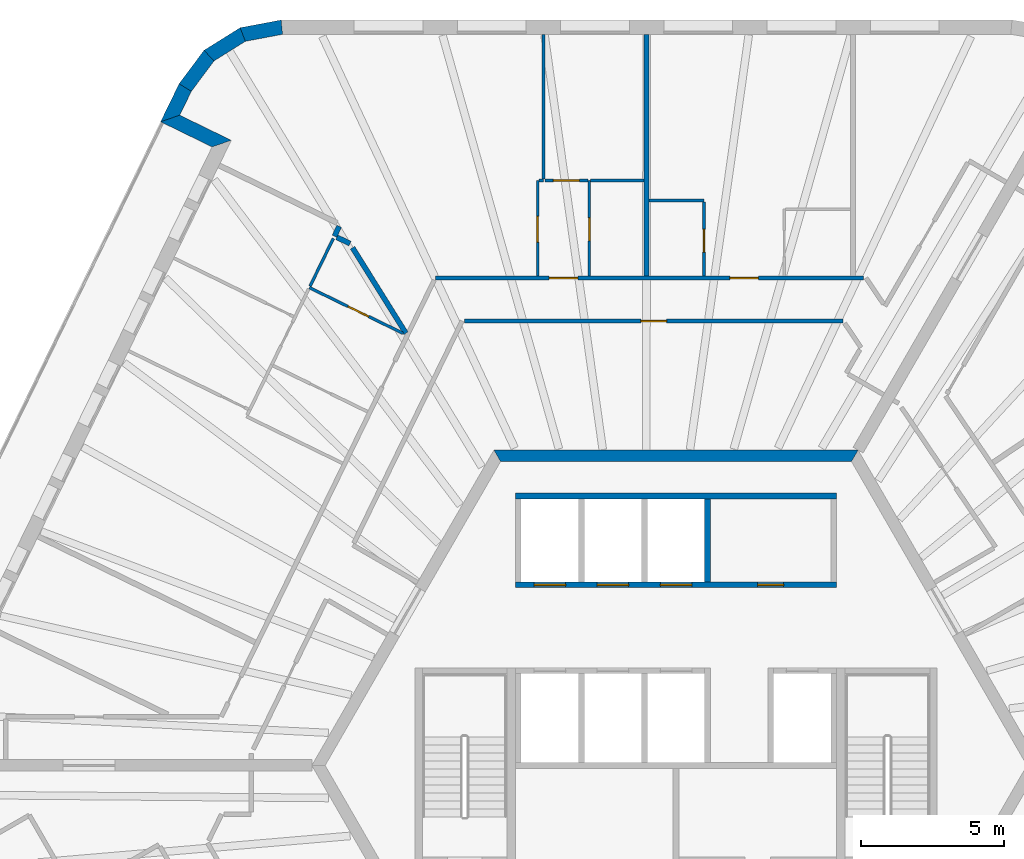
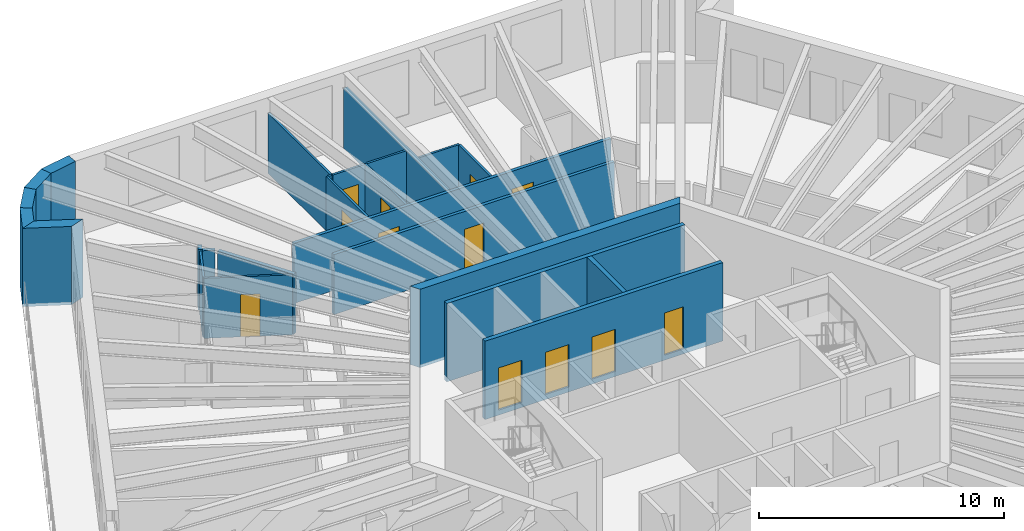
# One storey, part 9 of 12: 25 walls, 12 doors, 12 openings.
"""IFC4 building model written with IfcOpenShell, lengths in metres."""

from ifc_helpers import new_model, si_unit, direction, frame, frame_2d, origin, place, context, subcontext, project, spatial, polyline, rectangle, outline, extrude, material, layer, layer_set, type_object, element, fill, save


model = new_model("IFC4")

# Units and contexts
model_context = context("Model", 3, precision=1e-05, world=origin(), true_north=direction((0.0, 1.0)))
body_context = subcontext(model_context, "Body", "Model", "MODEL_VIEW")
ifc_project = project(units=[si_unit("LENGTHUNIT", "METRE"), si_unit("AREAUNIT", "SQUARE_METRE"), si_unit("VOLUMEUNIT", "CUBIC_METRE"), si_unit("PLANEANGLEUNIT", "RADIAN"), si_unit("MASSUNIT", "GRAM", prefix="KILO")], contexts=[model_context])

# Site, building, storey
site_placement = place(None, origin())
site = spatial("IfcSite", under=ifc_project, at=site_placement, CompositionType="ELEMENT")
building_placement = place(site_placement, origin())
building = spatial("IfcBuilding", under=site, at=building_placement, Name="Tarnside Tower", CompositionType="ELEMENT")
storey_placement = place(building_placement, frame((0.0, 0.0, 299.10009765625)))
storey = spatial("IfcBuildingStorey", under=building, at=storey_placement, Name="L72", CompositionType="ELEMENT", Elevation=299.10009765625)

# Wall
ifc_material_1 = material(Name="Gypsum board partition on steel studs", Category="steel")
ifc_layer_1 = layer(ifc_material_1, 0.10009765625)
ifc_layer_set_1 = layer_set([ifc_layer_1], Name="Bathroom wall 100")
wall_type_1 = type_object("IfcWallType", Name="Bathroom wall 100", PredefinedType="PARTITIONING", material=ifc_layer_set_1)
wall_1_placement = place(storey_placement, frame((-0.934814453125, 19.699951171875, 0.0), z_axis=(0.0, 0.0, 1.0), x_axis=(1.0, 0.0, 0.0)))
element("IfcWall", 1, at=wall_1_placement, inside=storey, type_object=wall_type_1, Name="Bathroom wall 23083", PredefinedType="PARTITIONING", context=body_context, shape_type="SweptSolid", body=[
    extrude(rectangle(XDim=1.909912109375, YDim=0.10009765625, at=frame_2d((0.955078125, 0.0))), origin(), (0.0, 0.0, 1.0), 2.98779296875),
])

# Wall, opening, door
wall_2_placement = place(storey_placement, frame((0.97509765625, 19.64990234375, 0.0), z_axis=(0.0, 0.0, 1.0), x_axis=(0.0, -1.0, 0.0)))
wall_2 = element("IfcWall", 2, at=wall_2_placement, inside=storey, type_object=wall_type_1, Name="Bathroom wall 23084", PredefinedType="PARTITIONING", context=body_context, shape_type="SweptSolid", body=[
    extrude(rectangle(XDim=2.574951171875, YDim=0.10009765625, at=frame_2d((1.28759765625, 0.0))), origin(), (0.0, 0.0, 1.0), 2.98779296875),
])
opening_1_placement = place(wall_2_placement, frame((0.949951171875, 0.0, 0.0)))
opening_1 = element("IfcOpeningElement", 3, at=opening_1_placement, cuts=wall_2, Name="Opening D-B1", PredefinedType="OPENING", context=body_context, shape_type="SweptSolid", body=[
    extrude(rectangle(XDim=0.800048828125, YDim=2.10009765625, at=frame_2d((0.39990234375, 1.050048828125))), frame((0.0, 0.06005859375, 0.0), z_axis=(0.0, -1.0, 0.0), x_axis=(1.0, 0.0, 0.0)), (0.0, 0.0, 1.0), 0.1201171875),
])
ifc_material_2 = material(Name="Timber door leaf", Category="wood")
door_type_1 = type_object("IfcDoorType", Name="Bathroom door 800", OperationType="NOTDEFINED", PredefinedType="DOOR", material=ifc_material_2)
door_1_placement = place(opening_1_placement, origin())
door_1 = element("IfcDoor", 4, at=door_1_placement, inside=storey, type_object=door_type_1, Name="Bathroom door 23003", OperationType="SINGLE_SWING_LEFT", OverallHeight=2.10009765625, OverallWidth=0.800048828125, PredefinedType="DOOR", context=body_context, shape_type="SweptSolid", body=[
    extrude(rectangle(XDim=0.800048828125, YDim=2.10009765625, at=frame_2d((0.39990234375, 1.050048828125))), frame((0.0, 0.02490234375, 0.0), z_axis=(0.0, -1.0, 0.0), x_axis=(1.0, 0.0, 0.0)), (0.0, 0.0, 1.0), 0.050048828125),
])
fill(opening_1, door_1)

wall_3_placement = place(storey_placement, frame((-3.02490234375, 17.074951171875, 0.0), z_axis=(0.0, 0.0, 1.0), x_axis=(0.0, 1.0, 0.0)))
wall_3 = element("IfcWall", 5, at=wall_3_placement, inside=storey, type_object=wall_type_1, Name="Bathroom wall 23097", PredefinedType="PARTITIONING", context=body_context, shape_type="SweptSolid", body=[
    extrude(rectangle(XDim=3.324951171875, YDim=0.10009765625, at=frame_2d((1.66259765625, 0.0))), origin(), (0.0, 0.0, 1.0), 2.98779296875),
])
opening_2_placement = place(wall_3_placement, frame((1.22509765625, 0.0, 0.0)))
opening_2 = element("IfcOpeningElement", 6, at=opening_2_placement, cuts=wall_3, Name="Opening D-B1", PredefinedType="OPENING", context=body_context, shape_type="SweptSolid", body=[
    extrude(rectangle(XDim=0.800048828125, YDim=2.10009765625, at=frame_2d((0.39990234375, 1.050048828125))), frame((0.0, 0.06005859375, 0.0), z_axis=(0.0, -1.0, 0.0), x_axis=(1.0, 0.0, 0.0)), (0.0, 0.0, 1.0), 0.1201171875),
])
door_2_placement = place(opening_2_placement, origin())
door_2 = element("IfcDoor", 7, at=door_2_placement, inside=storey, type_object=door_type_1, Name="Bathroom door 23006", OperationType="SINGLE_SWING_RIGHT", OverallHeight=2.10009765625, OverallWidth=0.800048828125, PredefinedType="DOOR", context=body_context, shape_type="SweptSolid", body=[
    extrude(rectangle(XDim=0.800048828125, YDim=2.10009765625, at=frame_2d((0.39990234375, 1.050048828125))), frame((0.0, 0.02490234375, 0.0), z_axis=(0.0, -1.0, 0.0), x_axis=(1.0, 0.0, 0.0)), (0.0, 0.0, 1.0), 0.050048828125),
])
fill(opening_2, door_2)

# Wall
wall_4_placement = place(storey_placement, frame((-1.11474609375, 20.39990234375, 0.0), z_axis=(0.0, 0.0, 1.0), x_axis=(-1.0, 0.0, 0.0)))
element("IfcWall", 8, at=wall_4_placement, inside=storey, type_object=wall_type_1, Name="Bathroom wall 23099", PredefinedType="PARTITIONING", context=body_context, shape_type="SweptSolid", body=[
    extrude(rectangle(XDim=1.862060546875, YDim=0.10009765625, at=frame_2d((0.93115234375, 0.0))), origin(), (0.0, 0.0, 1.0), 2.98779296875),
])

# Wall, opening, door
wall_5_placement = place(storey_placement, frame((-9.525634765625, 15.074462890625, 0.0), z_axis=(0.0, 0.0, 1.0), x_axis=(-0.898808514517, 0.438341481304, 0.0)))
wall_5 = element("IfcWall", 9, at=wall_5_placement, inside=storey, type_object=wall_type_1, Name="Bathroom wall 23107", PredefinedType="PARTITIONING", context=body_context, shape_type="SweptSolid", body=[
    extrude(rectangle(XDim=3.63037109375, YDim=0.10009765625, at=frame_2d((1.815185546875, 0.0))), origin(), (0.0, 0.0, 1.0), 2.98779296875),
])
opening_3_placement = place(wall_5_placement, frame((1.330078125, 0.0, 0.0)))
opening_3 = element("IfcOpeningElement", 10, at=opening_3_placement, cuts=wall_5, Name="Opening D-B1", PredefinedType="OPENING", context=body_context, shape_type="SweptSolid", body=[
    extrude(rectangle(XDim=0.800048828125, YDim=2.10009765625, at=frame_2d((0.39990234375, 1.050048828125))), frame((0.0, 0.06005859375, 0.0), z_axis=(0.0, -1.0, 0.0), x_axis=(1.0, 0.0, 0.0)), (0.0, 0.0, 1.0), 0.1201171875),
])
door_3_placement = place(opening_3_placement, origin())
door_3 = element("IfcDoor", 11, at=door_3_placement, inside=storey, type_object=door_type_1, Name="Bathroom door 23019", OperationType="SINGLE_SWING_RIGHT", OverallHeight=2.10009765625, OverallWidth=0.800048828125, PredefinedType="DOOR", context=body_context, shape_type="SweptSolid", body=[
    extrude(rectangle(XDim=0.800048828125, YDim=2.10009765625, at=frame_2d((0.39990234375, 1.050048828125))), frame((0.0, 0.02490234375, 0.0), z_axis=(0.0, -1.0, 0.0), x_axis=(1.0, 0.0, 0.0)), (0.0, 0.0, 1.0), 0.050048828125),
])
fill(opening_3, door_3)

# Walls
wall_6_placement = place(storey_placement, frame((-12.7666015625, 16.710693359375, 0.0), z_axis=(0.0, 0.0, 1.0), x_axis=(0.438371913736, 0.898793672234, 0.0)))
element("IfcWall", 12, at=wall_6_placement, inside=storey, type_object=wall_type_1, Name="Bathroom wall 23110", PredefinedType="PARTITIONING", context=body_context, shape_type="SweptSolid", body=[
    extrude(rectangle(XDim=1.860107421875, YDim=0.10009765625, at=frame_2d((0.93017578125, 0.0))), origin(), (0.0, 0.0, 1.0), 2.98779296875),
])
ifc_material_3 = material(Name="Concrete C60/75", Category="concrete")
ifc_layer_2 = layer(ifc_material_3, 0.39990234375)
ifc_layer_set_2 = layer_set([ifc_layer_2], Name="Core wall Z3 400 C60/75")
wall_type_2 = type_object("IfcWallType", Name="Core wall Z3 400 C60/75", PredefinedType="SHEAR", material=ifc_layer_set_2)
wall_7_placement = place(storey_placement, frame((6.2353515625, 10.800048828125, -0.150146484375), z_axis=(0.0, 0.0, 1.0), x_axis=(-1.0, 0.0, 0.0)))
element("IfcWall", 13, at=wall_7_placement, inside=storey, type_object=wall_type_2, Name="L72 core wall face 1", PredefinedType="SHEAR", context=body_context, shape_type="SweptSolid", body=[
    extrude(outline(polyline([(-0.115478515625, -0.199951171875), (12.586181640625, -0.199951171875), (12.355224609375, 0.199951171875), (0.115478515625, 0.199951171875), (-0.115478515625, -0.199951171875)])), origin(), (0.0, 0.0, 1.0), 3.900146484375),
])

# Wall, openings, doors
ifc_layer_3 = layer(ifc_material_1, 0.14990234375)
ifc_layer_set_3 = layer_set([ifc_layer_3], Name="Corridor wall 150 EI 60")
wall_type_3 = type_object("IfcWallType", Name="Corridor wall 150 EI 60", PredefinedType="PARTITIONING", material=ifc_layer_set_3)
wall_8_placement = place(storey_placement, frame((6.5361328125, 17.0, 0.0), z_axis=(0.0, 0.0, 1.0), x_axis=(-1.0, 0.0, 0.0)))
wall_8 = element("IfcWall", 14, at=wall_8_placement, inside=storey, type_object=wall_type_3, Name="Corridor wall 23004", PredefinedType="PARTITIONING", context=body_context, shape_type="SweptSolid", body=[
    extrude(rectangle(XDim=14.93359375, YDim=0.14990234375, at=frame_2d((7.466796875, 0.0))), origin(), (0.0, 0.0, 1.0), 2.98779296875),
])
opening_4_placement = place(wall_8_placement, frame((3.660888671875, 0.0, 0.0)))
opening_4 = element("IfcOpeningElement", 15, at=opening_4_placement, cuts=wall_8, Name="Opening D-E1", PredefinedType="OPENING", context=body_context, shape_type="SweptSolid", body=[
    extrude(rectangle(XDim=1.0, YDim=2.10009765625, at=frame_2d((0.5, 1.050048828125))), frame((0.0, 0.0849609375, 0.0), z_axis=(0.0, -1.0, 0.0), x_axis=(1.0, 0.0, 0.0)), (0.0, 0.0, 1.0), 0.169921875),
])
opening_5_placement = place(wall_8_placement, frame((9.9609375, 0.0, 0.0)))
opening_5 = element("IfcOpeningElement", 16, at=opening_5_placement, cuts=wall_8, Name="Opening D-E1", PredefinedType="OPENING", context=body_context, shape_type="SweptSolid", body=[
    extrude(rectangle(XDim=1.0, YDim=2.10009765625, at=frame_2d((0.5, 1.050048828125))), frame((0.0, 0.0849609375, 0.0), z_axis=(0.0, -1.0, 0.0), x_axis=(1.0, 0.0, 0.0)), (0.0, 0.0, 1.0), 0.169921875),
])
door_type_2 = type_object("IfcDoorType", Name="Unit entrance door 1000 FD30S", OperationType="NOTDEFINED", PredefinedType="DOOR", material=ifc_material_2)
door_4_placement = place(opening_4_placement, origin())
door_4 = element("IfcDoor", 17, at=door_4_placement, inside=storey, type_object=door_type_2, Name="Unit door 23002", OperationType="SINGLE_SWING_LEFT", OverallHeight=2.10009765625, OverallWidth=1.0, PredefinedType="DOOR", context=body_context, shape_type="SweptSolid", body=[
    extrude(rectangle(XDim=1.0, YDim=2.10009765625, at=frame_2d((0.5, 1.050048828125))), frame((0.0, 0.02490234375, 0.0), z_axis=(0.0, -1.0, 0.0), x_axis=(1.0, 0.0, 0.0)), (0.0, 0.0, 1.0), 0.050048828125),
])
fill(opening_4, door_4)
door_5_placement = place(opening_5_placement, origin())
door_5 = element("IfcDoor", 18, at=door_5_placement, inside=storey, type_object=door_type_2, Name="Unit door 23005", OperationType="SINGLE_SWING_RIGHT", OverallHeight=2.10009765625, OverallWidth=1.0, PredefinedType="DOOR", context=body_context, shape_type="SweptSolid", body=[
    extrude(rectangle(XDim=1.0, YDim=2.10009765625, at=frame_2d((0.5, 1.050048828125))), frame((0.0, 0.02490234375, 0.0), z_axis=(0.0, -1.0, 0.0), x_axis=(1.0, 0.0, 0.0)), (0.0, 0.0, 1.0), 0.050048828125),
])
fill(opening_5, door_5)

# Wall, opening, door
wall_9_placement = place(storey_placement, frame((-7.376708984375, 15.5, 0.0), z_axis=(0.0, 0.0, 1.0), x_axis=(1.0, 0.0, 0.0)))
wall_9 = element("IfcWall", 19, at=wall_9_placement, inside=storey, type_object=wall_type_3, Name="Corridor wall 23021", PredefinedType="PARTITIONING", context=body_context, shape_type="SweptSolid", body=[
    extrude(rectangle(XDim=13.205810546875, YDim=0.14990234375, at=frame_2d((6.60302734375, 0.0))), origin(), (0.0, 0.0, 1.0), 2.98779296875),
])
opening_6_placement = place(wall_9_placement, frame((6.15283203125, 0.0, 0.0)))
opening_6 = element("IfcOpeningElement", 20, at=opening_6_placement, cuts=wall_9, Name="Opening D-S1", PredefinedType="OPENING", context=body_context, shape_type="SweptSolid", body=[
    extrude(rectangle(XDim=0.89990234375, YDim=2.10009765625, at=frame_2d((0.449951171875, 1.050048828125))), frame((0.0, 0.0849609375, 0.0), z_axis=(0.0, -1.0, 0.0), x_axis=(1.0, 0.0, 0.0)), (0.0, 0.0, 1.0), 0.169921875),
])
door_type_3 = type_object("IfcDoorType", Name="Service room door 900 FD30S", OperationType="NOTDEFINED", PredefinedType="DOOR", material=ifc_material_2)
door_6_placement = place(opening_6_placement, origin())
door_6 = element("IfcDoor", 21, at=door_6_placement, inside=storey, type_object=door_type_3, Name="Service door 23058", OperationType="SINGLE_SWING_LEFT", OverallHeight=2.10009765625, OverallWidth=0.89990234375, PredefinedType="DOOR", context=body_context, shape_type="SweptSolid", body=[
    extrude(rectangle(XDim=0.89990234375, YDim=2.10009765625, at=frame_2d((0.449951171875, 1.050048828125))), frame((0.0, 0.02490234375, 0.0), z_axis=(0.0, -1.0, 0.0), x_axis=(1.0, 0.0, 0.0)), (0.0, 0.0, 1.0), 0.050048828125),
])
fill(opening_6, door_6)

# Walls
ifc_layer_4 = layer(ifc_material_1, 0.179931640625)
ifc_layer_set_4 = layer_set([ifc_layer_4], Name="Demising wall 180 EI 60")
wall_type_4 = type_object("IfcWallType", Name="Demising wall 180 EI 60", PredefinedType="PARTITIONING", material=ifc_layer_set_4)
wall_10_placement = place(storey_placement, frame((-1.02490234375, 25.5, 0.0), z_axis=(0.0, 0.0, 1.0), x_axis=(0.0, -1.0, 0.0)))
element("IfcWall", 22, at=wall_10_placement, inside=storey, type_object=wall_type_4, Name="Demising wall 23087", PredefinedType="PARTITIONING", context=body_context, shape_type="SweptSolid", body=[
    extrude(rectangle(XDim=8.425048828125, YDim=0.179931640625, at=frame_2d((4.21240234375, 0.0))), origin(), (0.0, 0.0, 1.0), 2.98779296875),
])
wall_11_placement = place(storey_placement, frame((-11.74755859375, 18.800048828125, 0.0), z_axis=(0.0, 0.0, 1.0), x_axis=(-0.438410910916, -0.89877465095, 0.0)))
element("IfcWall", 23, at=wall_11_placement, inside=storey, type_object=wall_type_4, Name="Demising wall 23094", PredefinedType="PARTITIONING", context=body_context, shape_type="SweptSolid", body=[
    extrude(rectangle(XDim=0.378173828125, YDim=0.179931640625, at=frame_2d((0.18896484375, 0.0))), origin(), (0.0, 0.0, 1.0), 2.98779296875),
])
wall_12_placement = place(storey_placement, frame((-11.830810546875, 18.423828125, 0.0), z_axis=(0.0, 0.0, 1.0), x_axis=(0.898888206261, -0.438178037612, 0.0)))
element("IfcWall", 24, at=wall_12_placement, inside=storey, type_object=wall_type_4, Name="Demising wall 23095", PredefinedType="PARTITIONING", context=body_context, shape_type="SweptSolid", body=[
    extrude(rectangle(XDim=0.50927734375, YDim=0.179931640625, at=frame_2d((0.254638671875, 0.0))), origin(), (0.0, 0.0, 1.0), 2.98779296875),
])
wall_13_placement = place(storey_placement, frame((-11.282958984375, 18.056640625, 0.0), z_axis=(0.0, 0.0, 1.0), x_axis=(0.529892826056, -0.84806461599, 0.0)))
element("IfcWall", 25, at=wall_13_placement, inside=storey, type_object=wall_type_4, Name="Demising wall 23096", PredefinedType="PARTITIONING", context=body_context, shape_type="SweptSolid", body=[
    extrude(rectangle(XDim=3.515869140625, YDim=0.179931640625, at=frame_2d((1.7578125, 0.0))), origin(), (0.0, 0.0, 1.0), 2.98779296875),
])

# Wall, openings, doors
ifc_material_4 = material(Name="Concrete C40/50", Category="concrete")
ifc_layer_5 = layer(ifc_material_4, 0.199951171875)
ifc_layer_set_5 = layer_set([ifc_layer_5], Name="Lift shaft wall 200 C40/50")
wall_type_5 = type_object("IfcWallType", Name="Lift shaft wall 200 C40/50", PredefinedType="SHEAR", material=ifc_layer_set_5)
wall_14_placement = place(storey_placement, frame((-5.60009765625, 6.300048828125, -0.25), z_axis=(0.0, 0.0, 1.0), x_axis=(1.0, 0.0, 0.0)))
wall_14 = element("IfcWall", 26, at=wall_14_placement, inside=storey, type_object=wall_type_5, Name="L72 lift shaft front wall R1", PredefinedType="SHEAR", context=body_context, shape_type="SweptSolid", body=[
    extrude(rectangle(XDim=11.2001953125, YDim=0.199951171875, at=frame_2d((5.60009765625, 0.0))), origin(), (0.0, 0.0, 1.0), 3.89990234375),
])
opening_7_placement = place(wall_14_placement, frame((8.449951171875, 0.0, 0.25)))
opening_7 = element("IfcOpeningElement", 27, at=opening_7_placement, cuts=wall_14, Name="Opening CD-room", PredefinedType="OPENING", context=body_context, shape_type="SweptSolid", body=[
    extrude(rectangle(XDim=0.89990234375, YDim=2.10009765625, at=frame_2d((0.449951171875, 1.050048828125))), frame((0.0, 0.10986328125, 0.0), z_axis=(0.0, -1.0, 0.0), x_axis=(1.0, 0.0, 0.0)), (0.0, 0.0, 1.0), 0.219970703125),
])
opening_8_placement = place(wall_14_placement, frame((0.64990234375, 0.0, 0.25)))
opening_8 = element("IfcOpeningElement", 28, at=opening_8_placement, cuts=wall_14, Name="Opening LD", PredefinedType="OPENING", context=body_context, shape_type="SweptSolid", body=[
    extrude(rectangle(XDim=1.10009765625, YDim=2.10009765625, at=frame_2d((0.550048828125, 1.050048828125))), frame((0.0, 0.10986328125, 0.0), z_axis=(0.0, -1.0, 0.0), x_axis=(1.0, 0.0, 0.0)), (0.0, 0.0, 1.0), 0.219970703125),
])
opening_9_placement = place(wall_14_placement, frame((2.85009765625, 0.0, 0.25)))
opening_9 = element("IfcOpeningElement", 29, at=opening_9_placement, cuts=wall_14, Name="Opening LD", PredefinedType="OPENING", context=body_context, shape_type="SweptSolid", body=[
    extrude(rectangle(XDim=1.10009765625, YDim=2.10009765625, at=frame_2d((0.550048828125, 1.050048828125))), frame((0.0, 0.10986328125, 0.0), z_axis=(0.0, -1.0, 0.0), x_axis=(1.0, 0.0, 0.0)), (0.0, 0.0, 1.0), 0.219970703125),
])
opening_10_placement = place(wall_14_placement, frame((5.050048828125, 0.0, 0.25)))
opening_10 = element("IfcOpeningElement", 30, at=opening_10_placement, cuts=wall_14, Name="Opening LD", PredefinedType="OPENING", context=body_context, shape_type="SweptSolid", body=[
    extrude(rectangle(XDim=1.10009765625, YDim=2.10009765625, at=frame_2d((0.550048828125, 1.050048828125))), frame((0.0, 0.10986328125, 0.0), z_axis=(0.0, -1.0, 0.0), x_axis=(1.0, 0.0, 0.0)), (0.0, 0.0, 1.0), 0.219970703125),
])
ifc_material_5 = material(Name="Stainless steel", Category="steel")
door_type_4 = type_object("IfcDoorType", Name="Lift landing door 1100x2100", OperationType="NOTDEFINED", PredefinedType="DOOR", material=ifc_material_5)
door_7_placement = place(opening_8_placement, origin())
door_7 = element("IfcDoor", 31, at=door_7_placement, inside=storey, type_object=door_type_4, Name="High-rise lift 1 landing door L72", OperationType="SLIDING_TO_LEFT", OverallHeight=2.10009765625, OverallWidth=1.10009765625, PredefinedType="DOOR", context=body_context, shape_type="SweptSolid", body=[
    extrude(rectangle(XDim=1.10009765625, YDim=2.10009765625, at=frame_2d((0.550048828125, 1.050048828125))), frame((0.0, 0.02490234375, 0.0), z_axis=(0.0, -1.0, 0.0), x_axis=(1.0, 0.0, 0.0)), (0.0, 0.0, 1.0), 0.050048828125),
])
fill(opening_8, door_7)
door_8_placement = place(opening_9_placement, origin())
door_8 = element("IfcDoor", 32, at=door_8_placement, inside=storey, type_object=door_type_4, Name="High-rise lift 2 landing door L72", OperationType="SLIDING_TO_LEFT", OverallHeight=2.10009765625, OverallWidth=1.10009765625, PredefinedType="DOOR", context=body_context, shape_type="SweptSolid", body=[
    extrude(rectangle(XDim=1.10009765625, YDim=2.10009765625, at=frame_2d((0.550048828125, 1.050048828125))), frame((0.0, 0.02490234375, 0.0), z_axis=(0.0, -1.0, 0.0), x_axis=(1.0, 0.0, 0.0)), (0.0, 0.0, 1.0), 0.050048828125),
])
fill(opening_9, door_8)
door_9_placement = place(opening_10_placement, origin())
door_9 = element("IfcDoor", 33, at=door_9_placement, inside=storey, type_object=door_type_4, Name="High-rise lift 3 landing door L72", OperationType="SLIDING_TO_LEFT", OverallHeight=2.10009765625, OverallWidth=1.10009765625, PredefinedType="DOOR", context=body_context, shape_type="SweptSolid", body=[
    extrude(rectangle(XDim=1.10009765625, YDim=2.10009765625, at=frame_2d((0.550048828125, 1.050048828125))), frame((0.0, 0.02490234375, 0.0), z_axis=(0.0, -1.0, 0.0), x_axis=(1.0, 0.0, 0.0)), (0.0, 0.0, 1.0), 0.050048828125),
])
fill(opening_10, door_9)
ifc_material_6 = material(Name="Steel fire door", Category="steel")
door_type_5 = type_object("IfcDoorType", Name="Room door FD60 900x2100", OperationType="NOTDEFINED", PredefinedType="DOOR", material=ifc_material_6)
door_10_placement = place(opening_7_placement, origin())
door_10 = element("IfcDoor", 34, at=door_10_placement, inside=storey, type_object=door_type_5, Name="L72 core room door FC1", OperationType="SINGLE_SWING_LEFT", OverallHeight=2.10009765625, OverallWidth=0.89990234375, PredefinedType="DOOR", context=body_context, shape_type="SweptSolid", body=[
    extrude(rectangle(XDim=0.89990234375, YDim=2.10009765625, at=frame_2d((0.449951171875, 1.050048828125))), frame((0.0, 0.02490234375, 0.0), z_axis=(0.0, -1.0, 0.0), x_axis=(1.0, 0.0, 0.0)), (0.0, 0.0, 1.0), 0.050048828125),
])
fill(opening_7, door_10)

# Walls
wall_15_placement = place(storey_placement, frame((-5.60009765625, 9.39990234375, -0.25), z_axis=(0.0, 0.0, 1.0), x_axis=(1.0, 0.0, 0.0)))
element("IfcWall", 35, at=wall_15_placement, inside=storey, type_object=wall_type_5, Name="L72 lift shaft back wall R1", PredefinedType="SHEAR", context=body_context, shape_type="SweptSolid", body=[
    extrude(rectangle(XDim=11.2001953125, YDim=0.199951171875, at=frame_2d((5.60009765625, 0.0))), origin(), (0.0, 0.0, 1.0), 3.89990234375),
])
wall_16_placement = place(storey_placement, frame((1.10009765625, 6.39990234375, -0.25), z_axis=(0.0, 0.0, 1.0), x_axis=(0.0, 1.0, 0.0)))
element("IfcWall", 36, at=wall_16_placement, inside=storey, type_object=wall_type_5, Name="L72 lift shaft partition R14", PredefinedType="SHEAR", context=body_context, shape_type="SweptSolid", body=[
    extrude(rectangle(XDim=2.900146484375, YDim=0.199951171875, at=frame_2d((1.4501953125, 0.0))), origin(), (0.0, 0.0, 1.0), 3.89990234375),
])
ifc_material_7 = material(Name="Dark zinc cladding")
ifc_layer_6 = layer(ifc_material_7, 0.10205078125)
ifc_material_8 = material(Name="Concrete C60/75 precast", Category="concrete")
ifc_layer_7 = layer(ifc_material_8, 0.298095703125)
ifc_material_9 = material(Name="Mineral wool insulation")
ifc_layer_8 = layer(ifc_material_9, 0.10009765625)
ifc_layer_set_6 = layer_set([ifc_layer_6, ifc_layer_7, ifc_layer_8], Name="Loggia wall 500 zinc faced")
wall_type_6 = type_object("IfcWallType", Name="Loggia wall 500 zinc faced", PredefinedType="SOLIDWALL", material=ifc_layer_set_6)
wall_17_placement = place(storey_placement, frame((-17.11767578125, 23.643798828125, -0.150146484375), z_axis=(0.0, 0.0, 1.0), x_axis=(-0.438319390103, -0.898819287877, 0.0)))
element("IfcWall", 37, at=wall_17_placement, inside=storey, type_object=wall_type_6, Name="Tube wall L72 F2 stub 04", PredefinedType="SOLIDWALL", context=body_context, shape_type="SweptSolid", body=[
    extrude(outline(polyline([(-0.0234375, -0.25), (1.44970703125, -0.25), (0.94970703125, 0.25), (0.0234375, 0.25), (-0.0234375, -0.25)])), origin(), (0.0, 0.0, 1.0), 3.900146484375),
])
wall_18_placement = place(storey_placement, frame((-17.6435546875, 22.5654296875, -0.150146484375), z_axis=(0.0, 0.0, 1.0), x_axis=(0.898754367686, -0.43845249066, 0.0)))
element("IfcWall", 38, at=wall_18_placement, inside=storey, type_object=wall_type_6, Name="Tube wall L72 F2 return 05", PredefinedType="SOLIDWALL", context=body_context, shape_type="SweptSolid", body=[
    extrude(outline(polyline([(-0.25, -0.25), (1.75, -0.25), (2.25, 0.25), (0.25, 0.25), (-0.25, -0.25)])), origin(), (0.0, 0.0, 1.0), 3.900146484375),
])

# Wall, opening, door
ifc_layer_9 = layer(ifc_material_1, 0.10009765625)
ifc_layer_set_7 = layer_set([ifc_layer_9], Name="Partition 100")
wall_type_7 = type_object("IfcWallType", Name="Partition 100", PredefinedType="PARTITIONING", material=ifc_layer_set_7)
wall_19_placement = place(storey_placement, frame((-4.82470703125, 17.074951171875, 0.0), z_axis=(0.0, 0.0, 1.0), x_axis=(0.0, 1.0, 0.0)))
wall_19 = element("IfcWall", 39, at=wall_19_placement, inside=storey, type_object=wall_type_7, Name="Partition wall 23090", PredefinedType="PARTITIONING", context=body_context, shape_type="SweptSolid", body=[
    extrude(rectangle(XDim=3.324951171875, YDim=0.10009765625, at=frame_2d((1.66259765625, 0.0))), origin(), (0.0, 0.0, 1.0), 2.98779296875),
])
opening_11_placement = place(wall_19_placement, frame((1.175048828125, 0.0, 0.0)))
opening_11 = element("IfcOpeningElement", 40, at=opening_11_placement, cuts=wall_19, Name="Opening D-I1", PredefinedType="OPENING", context=body_context, shape_type="SweptSolid", body=[
    extrude(rectangle(XDim=0.89990234375, YDim=2.10009765625, at=frame_2d((0.449951171875, 1.050048828125))), frame((0.0, 0.06005859375, 0.0), z_axis=(0.0, -1.0, 0.0), x_axis=(1.0, 0.0, 0.0)), (0.0, 0.0, 1.0), 0.1201171875),
])
door_type_6 = type_object("IfcDoorType", Name="Internal door 900", OperationType="NOTDEFINED", PredefinedType="DOOR", material=ifc_material_2)
door_11_placement = place(opening_11_placement, origin())
door_11 = element("IfcDoor", 41, at=door_11_placement, inside=storey, type_object=door_type_6, Name="Internal door 23007", OperationType="SINGLE_SWING_RIGHT", OverallHeight=2.10009765625, OverallWidth=0.89990234375, PredefinedType="DOOR", context=body_context, shape_type="SweptSolid", body=[
    extrude(rectangle(XDim=0.89990234375, YDim=2.10009765625, at=frame_2d((0.449951171875, 1.050048828125))), frame((0.0, 0.02490234375, 0.0), z_axis=(0.0, -1.0, 0.0), x_axis=(1.0, 0.0, 0.0)), (0.0, 0.0, 1.0), 0.050048828125),
])
fill(opening_11, door_11)

# Walls
wall_20_placement = place(storey_placement, frame((-4.77490234375, 20.39990234375, 0.0), z_axis=(0.0, 0.0, 1.0), x_axis=(1.0, 0.0, 0.0)))
element("IfcWall", 42, at=wall_20_placement, inside=storey, type_object=wall_type_7, Name="Partition wall 23091", PredefinedType="PARTITIONING", context=body_context, shape_type="SweptSolid", body=[
    extrude(rectangle(XDim=0.152099609375, YDim=0.10009765625, at=frame_2d((0.076171875, 0.0))), origin(), (0.0, 0.0, 1.0), 2.98779296875),
])
wall_21_placement = place(storey_placement, frame((-4.624755859375, 20.449951171875, 0.0), z_axis=(0.0, 0.0, 1.0), x_axis=(0.0, 1.0, 0.0)))
element("IfcWall", 43, at=wall_21_placement, inside=storey, type_object=wall_type_7, Name="Partition wall 23092", PredefinedType="PARTITIONING", context=body_context, shape_type="SweptSolid", body=[
    extrude(rectangle(XDim=5.050048828125, YDim=0.10009765625, at=frame_2d((2.52490234375, 0.0))), origin(), (0.0, 0.0, 1.0), 2.98779296875),
])

# Wall, opening, door
wall_22_placement = place(storey_placement, frame((-3.07275390625, 20.39990234375, 0.0), z_axis=(0.0, 0.0, 1.0), x_axis=(-1.0, 0.0, 0.0)))
wall_22 = element("IfcWall", 44, at=wall_22_placement, inside=storey, type_object=wall_type_7, Name="Partition wall 23098", PredefinedType="PARTITIONING", context=body_context, shape_type="SweptSolid", body=[
    extrude(rectangle(XDim=1.501953125, YDim=0.10009765625, at=frame_2d((0.7509765625, 0.0))), origin(), (0.0, 0.0, 1.0), 2.98779296875),
])
opening_12_placement = place(wall_22_placement, frame((0.302001953125, 0.0, 0.0)))
opening_12 = element("IfcOpeningElement", 45, at=opening_12_placement, cuts=wall_22, Name="Opening D-I1", PredefinedType="OPENING", context=body_context, shape_type="SweptSolid", body=[
    extrude(rectangle(XDim=0.89990234375, YDim=2.10009765625, at=frame_2d((0.449951171875, 1.050048828125))), frame((0.0, 0.06005859375, 0.0), z_axis=(0.0, -1.0, 0.0), x_axis=(1.0, 0.0, 0.0)), (0.0, 0.0, 1.0), 0.1201171875),
])
door_12_placement = place(opening_12_placement, origin())
door_12 = element("IfcDoor", 46, at=door_12_placement, inside=storey, type_object=door_type_6, Name="Internal door 23008", OperationType="SINGLE_SWING_RIGHT", OverallHeight=2.10009765625, OverallWidth=0.89990234375, PredefinedType="DOOR", context=body_context, shape_type="SweptSolid", body=[
    extrude(rectangle(XDim=0.89990234375, YDim=2.10009765625, at=frame_2d((0.449951171875, 1.050048828125))), frame((0.0, 0.02490234375, 0.0), z_axis=(0.0, -1.0, 0.0), x_axis=(1.0, 0.0, 0.0)), (0.0, 0.0, 1.0), 0.050048828125),
])
fill(opening_12, door_12)

# Walls
ifc_material_10 = material(Name="Facing brick", Category="masonry")
ifc_layer_10 = layer(ifc_material_10, 0.10205078125)
ifc_layer_11 = layer(ifc_material_8, 0.298095703125)
ifc_layer_12 = layer(ifc_material_9, 0.10009765625)
ifc_layer_set_8 = layer_set([ifc_layer_10, ifc_layer_11, ifc_layer_12], Name="Tube wall 500 brick faced")
wall_type_8 = type_object("IfcWallType", Name="Tube wall 500 brick faced", PredefinedType="SOLIDWALL", material=ifc_layer_set_8)
wall_23_placement = place(storey_placement, frame((-13.7470703125, 25.75, -0.150146484375), z_axis=(0.0, 0.0, 1.0), x_axis=(-0.982736538448, -0.185010529429, 0.0)))
element("IfcWall", 47, at=wall_23_placement, inside=storey, type_object=wall_type_8, Name="Tube wall L72 F1 chord 01", PredefinedType="SOLIDWALL", context=body_context, shape_type="SweptSolid", body=[
    extrude(outline(polyline([(-0.0234375, -0.25), (1.435302734375, -0.25), (1.341064453125, 0.25), (0.0234375, 0.25), (-0.0234375, -0.25)])), origin(), (0.0, 0.0, 1.0), 3.900146484375),
])
wall_24_placement = place(storey_placement, frame((-15.111328125, 25.4931640625, -0.150146484375), z_axis=(0.0, 0.0, 1.0), x_axis=(-0.847978544293, -0.530030554231, 0.0)))
element("IfcWall", 48, at=wall_24_placement, inside=storey, type_object=wall_type_8, Name="Tube wall L72 F1 chord 02", PredefinedType="SOLIDWALL", context=body_context, shape_type="SweptSolid", body=[
    extrude(outline(polyline([(-0.047119140625, -0.25), (1.435302734375, -0.25), (1.341064453125, 0.25), (0.047119140625, 0.25), (-0.047119140625, -0.25)])), origin(), (0.0, 0.0, 1.0), 3.900146484375),
])
wall_25_placement = place(storey_placement, frame((-16.28857421875, 24.75732421875, -0.150146484375), z_axis=(0.0, 0.0, 1.0), x_axis=(-0.597210785942, -0.802084332945, 0.0)))
element("IfcWall", 49, at=wall_25_placement, inside=storey, type_object=wall_type_8, Name="Tube wall L72 F1 chord 03", PredefinedType="SOLIDWALL", context=body_context, shape_type="SweptSolid", body=[
    extrude(outline(polyline([(-0.047119140625, -0.25), (1.41162109375, -0.25), (1.36474609375, 0.25), (0.047119140625, 0.25), (-0.047119140625, -0.25)])), origin(), (0.0, 0.0, 1.0), 3.900146484375),
])

save(model, "model.ifc")
